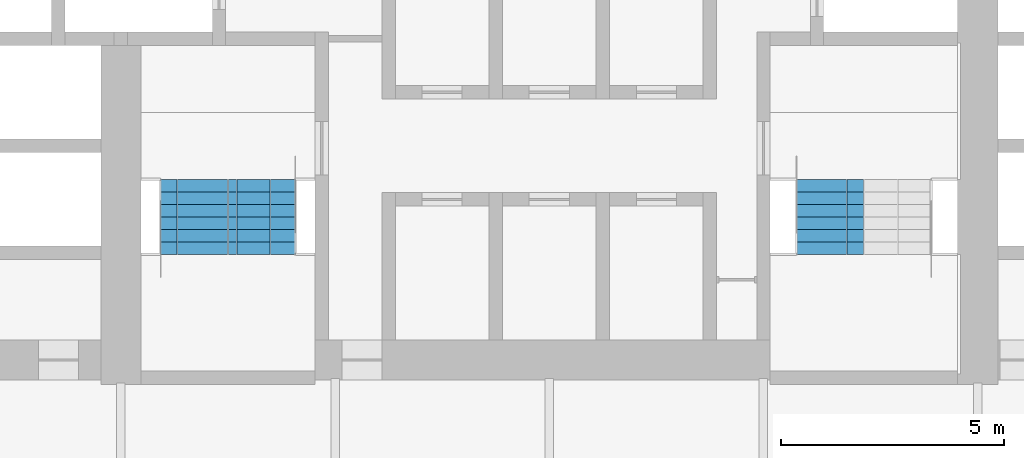
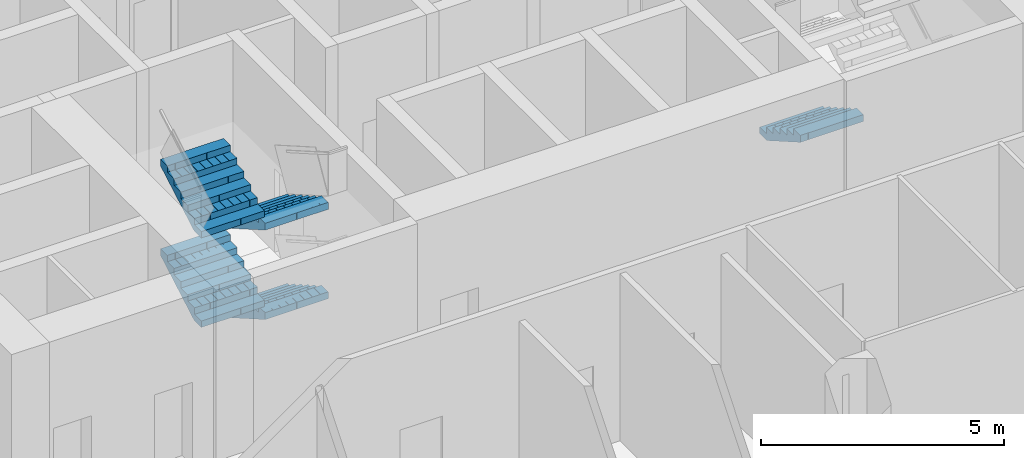
# One storey, part 20 of 26: 5 stair flights, 2 elements without a shape of their own.
"""IFC4 building model written with IfcOpenShell, lengths in metres."""

from ifc_helpers import new_model, si_unit, direction, frame, origin, place, context, subcontext, project, spatial, polyline, outline, extrude, material, type_object, element, aggregate, save


model = new_model("IFC4")

# Units and contexts
model_context = context("Model", 3, precision=1e-05, world=origin(), true_north=direction((0.0, 1.0)))
body_context = subcontext(model_context, "Body", "Model", "MODEL_VIEW")
ifc_project = project(units=[si_unit("LENGTHUNIT", "METRE"), si_unit("AREAUNIT", "SQUARE_METRE"), si_unit("VOLUMEUNIT", "CUBIC_METRE"), si_unit("PLANEANGLEUNIT", "RADIAN"), si_unit("MASSUNIT", "GRAM", prefix="KILO")], contexts=[model_context])

# Site, building, storey
site_placement = place(None, origin())
site = spatial("IfcSite", under=ifc_project, at=site_placement, CompositionType="ELEMENT")
building_placement = place(site_placement, origin())
building = spatial("IfcBuilding", under=site, at=building_placement, Name="Kolab Exchange Tower", CompositionType="ELEMENT")
storey_placement = place(building_placement, frame((0.0, 0.0, 104.89990234375)))
storey = spatial("IfcBuildingStorey", under=building, at=storey_placement, Name="L20", CompositionType="ELEMENT", Elevation=104.89990234375)

# Stair, stair flights
ifc_material = material(Name="Concrete C50/60", Category="concrete")
stair_type_1 = type_object("IfcStairType", Name="STAIR ST3 RISER 160.7", PredefinedType="DOUBLE_RETURN_STAIR", material=ifc_material)
stair_1_placement = place(storey_placement, origin())
stair_1 = element("IfcStair", 1, at=stair_1_placement, inside=storey, type_object=stair_type_1, Name="Stair 3", PredefinedType="DOUBLE_RETURN_STAIR")
stair_flight_type = type_object("IfcStairFlightType", Name="STAIR FLIGHT 1500 RISER 160.7", PredefinedType="STRAIGHT", material=ifc_material)
stair_flight_1_placement = place(storey_placement, frame((-6.43994140625, -5.550048828125, 0.0), z_axis=(0.0, 0.0, 1.0), x_axis=(0.0, -1.0, 0.0)))
stair_flight_1 = element("IfcStairFlight", 2, at=stair_flight_1_placement, type_object=stair_flight_type, Name="ST3 flight 1", NumberOfRisers=7, NumberOfTreads=6, PredefinedType="STRAIGHT", RiserHeight=0.160714286, TreadLength=0.28, context=body_context, shape_type="SweptSolid", body=[
    extrude(outline(polyline([(0.0, 0.0), (0.0, 0.16064453125), (0.280029296875, 0.16064453125), (0.280029296875, 0.321533203125), (0.56005859375, 0.321533203125), (0.56005859375, 0.482177734375), (0.840087890625, 0.482177734375), (0.840087890625, 0.642822265625), (1.1201171875, 0.642822265625), (1.1201171875, 0.803466796875), (1.39990234375, 0.803466796875), (1.39990234375, 0.96435546875), (1.679931640625, 0.96435546875), (1.679931640625, 1.125), (1.679931640625, 0.79150390625), (0.301025390625, 0.0), (0.0, 0.0)])), frame((0.0, 0.75, 0.0), z_axis=(0.0, -1.0, 0.0), x_axis=(1.0, 0.0, 0.0)), (0.0, 0.0, 1.0), 0.185791015625),
    extrude(outline(polyline([(0.0, 0.0), (0.0, 0.16064453125), (0.280029296875, 0.16064453125), (0.280029296875, 0.321533203125), (0.56005859375, 0.321533203125), (0.56005859375, 0.482177734375), (0.840087890625, 0.482177734375), (0.840087890625, 0.642822265625), (1.1201171875, 0.642822265625), (1.1201171875, 0.803466796875), (1.39990234375, 0.803466796875), (1.39990234375, 0.96435546875), (1.679931640625, 0.96435546875), (1.679931640625, 1.125), (1.679931640625, 0.79150390625), (0.301025390625, 0.0), (0.0, 0.0)])), frame((0.0, 0.562255859375, 0.0), z_axis=(0.0, -1.0, 0.0), x_axis=(1.0, 0.0, 0.0)), (0.0, 0.0, 1.0), 0.185791015625),
    extrude(outline(polyline([(0.0, 0.0), (0.0, 0.16064453125), (0.280029296875, 0.16064453125), (0.280029296875, 0.321533203125), (0.56005859375, 0.321533203125), (0.56005859375, 0.482177734375), (0.840087890625, 0.482177734375), (0.840087890625, 0.642822265625), (1.1201171875, 0.642822265625), (1.1201171875, 0.803466796875), (1.39990234375, 0.803466796875), (1.39990234375, 0.96435546875), (1.679931640625, 0.96435546875), (1.679931640625, 1.125), (1.679931640625, 0.79150390625), (0.301025390625, 0.0), (0.0, 0.0)])), frame((0.0, 0.37451171875, 0.0), z_axis=(0.0, -1.0, 0.0), x_axis=(1.0, 0.0, 0.0)), (0.0, 0.0, 1.0), 0.185791015625),
    extrude(outline(polyline([(0.0, 0.0), (0.0, 0.16064453125), (0.280029296875, 0.16064453125), (0.280029296875, 0.321533203125), (0.56005859375, 0.321533203125), (0.56005859375, 0.482177734375), (0.840087890625, 0.482177734375), (0.840087890625, 0.642822265625), (1.1201171875, 0.642822265625), (1.1201171875, 0.803466796875), (1.39990234375, 0.803466796875), (1.39990234375, 0.96435546875), (1.679931640625, 0.96435546875), (1.679931640625, 1.125), (1.679931640625, 0.79150390625), (0.301025390625, 0.0), (0.0, 0.0)])), frame((0.0, 0.186767578125, 0.0), z_axis=(0.0, -1.0, 0.0), x_axis=(1.0, 0.0, 0.0)), (0.0, 0.0, 1.0), 0.185791015625),
    extrude(outline(polyline([(0.0, 0.0), (0.0, 0.16064453125), (0.280029296875, 0.16064453125), (0.280029296875, 0.321533203125), (0.56005859375, 0.321533203125), (0.56005859375, 0.482177734375), (0.840087890625, 0.482177734375), (0.840087890625, 0.642822265625), (1.1201171875, 0.642822265625), (1.1201171875, 0.803466796875), (1.39990234375, 0.803466796875), (1.39990234375, 0.96435546875), (1.679931640625, 0.96435546875), (1.679931640625, 1.125), (1.679931640625, 0.79150390625), (0.301025390625, 0.0), (0.0, 0.0)])), frame((0.0, -0.0009765625, 0.0), z_axis=(0.0, -1.0, 0.0), x_axis=(1.0, 0.0, 0.0)), (0.0, 0.0, 1.0), 0.185791015625),
    extrude(outline(polyline([(0.0, 0.0), (0.0, 0.16064453125), (0.280029296875, 0.16064453125), (0.280029296875, 0.321533203125), (0.56005859375, 0.321533203125), (0.56005859375, 0.482177734375), (0.840087890625, 0.482177734375), (0.840087890625, 0.642822265625), (1.1201171875, 0.642822265625), (1.1201171875, 0.803466796875), (1.39990234375, 0.803466796875), (1.39990234375, 0.96435546875), (1.679931640625, 0.96435546875), (1.679931640625, 1.125), (1.679931640625, 0.79150390625), (0.301025390625, 0.0), (0.0, 0.0)])), frame((0.0, -0.188720703125, 0.0), z_axis=(0.0, -1.0, 0.0), x_axis=(1.0, 0.0, 0.0)), (0.0, 0.0, 1.0), 0.185791015625),
    extrude(outline(polyline([(0.0, 0.0), (0.0, 0.16064453125), (0.280029296875, 0.16064453125), (0.280029296875, 0.321533203125), (0.56005859375, 0.321533203125), (0.56005859375, 0.482177734375), (0.840087890625, 0.482177734375), (0.840087890625, 0.642822265625), (1.1201171875, 0.642822265625), (1.1201171875, 0.803466796875), (1.39990234375, 0.803466796875), (1.39990234375, 0.96435546875), (1.679931640625, 0.96435546875), (1.679931640625, 1.125), (1.679931640625, 0.79150390625), (0.301025390625, 0.0), (0.0, 0.0)])), frame((0.0, -0.37646484375, 0.0), z_axis=(0.0, -1.0, 0.0), x_axis=(1.0, 0.0, 0.0)), (0.0, 0.0, 1.0), 0.185791015625),
    extrude(outline(polyline([(0.0, 0.0), (0.0, 0.16064453125), (0.280029296875, 0.16064453125), (0.280029296875, 0.321533203125), (0.56005859375, 0.321533203125), (0.56005859375, 0.482177734375), (0.840087890625, 0.482177734375), (0.840087890625, 0.642822265625), (1.1201171875, 0.642822265625), (1.1201171875, 0.803466796875), (1.39990234375, 0.803466796875), (1.39990234375, 0.96435546875), (1.679931640625, 0.96435546875), (1.679931640625, 1.125), (1.679931640625, 0.79150390625), (0.301025390625, 0.0), (0.0, 0.0)])), frame((0.0, -0.564208984375, 0.0), z_axis=(0.0, -1.0, 0.0), x_axis=(1.0, 0.0, 0.0)), (0.0, 0.0, 1.0), 0.185791015625),
])
stair_flight_2_placement = place(storey_placement, frame((-7.9599609375, -7.22998046875, 1.125), z_axis=(0.0, 0.0, 1.0), x_axis=(0.0, 1.0, 0.0)))
stair_flight_2 = element("IfcStairFlight", 3, at=stair_flight_2_placement, type_object=stair_flight_type, Name="ST3 flight 2", NumberOfRisers=7, NumberOfTreads=6, PredefinedType="STRAIGHT", RiserHeight=0.160714286, TreadLength=0.28, context=body_context, shape_type="SweptSolid", body=[
    extrude(outline(polyline([(0.0, 0.0), (0.0, 0.16064453125), (0.280029296875, 0.16064453125), (0.280029296875, 0.321533203125), (0.56005859375, 0.321533203125), (0.56005859375, 0.482177734375), (0.840087890625, 0.482177734375), (0.840087890625, 0.642822265625), (1.1201171875, 0.642822265625), (1.1201171875, 0.803466796875), (1.39990234375, 0.803466796875), (1.39990234375, 0.96435546875), (1.679931640625, 0.96435546875), (1.679931640625, 1.125), (1.679931640625, 0.79150390625), (0.301025390625, 0.0), (0.0, 0.0)])), frame((0.0, 0.75, 0.0), z_axis=(0.0, -1.0, 0.0), x_axis=(1.0, 0.0, 0.0)), (0.0, 0.0, 1.0), 0.185791015625),
    extrude(outline(polyline([(0.0, 0.0), (0.0, 0.16064453125), (0.280029296875, 0.16064453125), (0.280029296875, 0.321533203125), (0.56005859375, 0.321533203125), (0.56005859375, 0.482177734375), (0.840087890625, 0.482177734375), (0.840087890625, 0.642822265625), (1.1201171875, 0.642822265625), (1.1201171875, 0.803466796875), (1.39990234375, 0.803466796875), (1.39990234375, 0.96435546875), (1.679931640625, 0.96435546875), (1.679931640625, 1.125), (1.679931640625, 0.79150390625), (0.301025390625, 0.0), (0.0, 0.0)])), frame((0.0, 0.562255859375, 0.0), z_axis=(0.0, -1.0, 0.0), x_axis=(1.0, 0.0, 0.0)), (0.0, 0.0, 1.0), 0.185791015625),
    extrude(outline(polyline([(0.0, 0.0), (0.0, 0.16064453125), (0.280029296875, 0.16064453125), (0.280029296875, 0.321533203125), (0.56005859375, 0.321533203125), (0.56005859375, 0.482177734375), (0.840087890625, 0.482177734375), (0.840087890625, 0.642822265625), (1.1201171875, 0.642822265625), (1.1201171875, 0.803466796875), (1.39990234375, 0.803466796875), (1.39990234375, 0.96435546875), (1.679931640625, 0.96435546875), (1.679931640625, 1.125), (1.679931640625, 0.79150390625), (0.301025390625, 0.0), (0.0, 0.0)])), frame((0.0, 0.37451171875, 0.0), z_axis=(0.0, -1.0, 0.0), x_axis=(1.0, 0.0, 0.0)), (0.0, 0.0, 1.0), 0.185791015625),
    extrude(outline(polyline([(0.0, 0.0), (0.0, 0.16064453125), (0.280029296875, 0.16064453125), (0.280029296875, 0.321533203125), (0.56005859375, 0.321533203125), (0.56005859375, 0.482177734375), (0.840087890625, 0.482177734375), (0.840087890625, 0.642822265625), (1.1201171875, 0.642822265625), (1.1201171875, 0.803466796875), (1.39990234375, 0.803466796875), (1.39990234375, 0.96435546875), (1.679931640625, 0.96435546875), (1.679931640625, 1.125), (1.679931640625, 0.79150390625), (0.301025390625, 0.0), (0.0, 0.0)])), frame((0.0, 0.186767578125, 0.0), z_axis=(0.0, -1.0, 0.0), x_axis=(1.0, 0.0, 0.0)), (0.0, 0.0, 1.0), 0.185791015625),
    extrude(outline(polyline([(0.0, 0.0), (0.0, 0.16064453125), (0.280029296875, 0.16064453125), (0.280029296875, 0.321533203125), (0.56005859375, 0.321533203125), (0.56005859375, 0.482177734375), (0.840087890625, 0.482177734375), (0.840087890625, 0.642822265625), (1.1201171875, 0.642822265625), (1.1201171875, 0.803466796875), (1.39990234375, 0.803466796875), (1.39990234375, 0.96435546875), (1.679931640625, 0.96435546875), (1.679931640625, 1.125), (1.679931640625, 0.79150390625), (0.301025390625, 0.0), (0.0, 0.0)])), frame((0.0, -0.0009765625, 0.0), z_axis=(0.0, -1.0, 0.0), x_axis=(1.0, 0.0, 0.0)), (0.0, 0.0, 1.0), 0.185791015625),
    extrude(outline(polyline([(0.0, 0.0), (0.0, 0.16064453125), (0.280029296875, 0.16064453125), (0.280029296875, 0.321533203125), (0.56005859375, 0.321533203125), (0.56005859375, 0.482177734375), (0.840087890625, 0.482177734375), (0.840087890625, 0.642822265625), (1.1201171875, 0.642822265625), (1.1201171875, 0.803466796875), (1.39990234375, 0.803466796875), (1.39990234375, 0.96435546875), (1.679931640625, 0.96435546875), (1.679931640625, 1.125), (1.679931640625, 0.79150390625), (0.301025390625, 0.0), (0.0, 0.0)])), frame((0.0, -0.188720703125, 0.0), z_axis=(0.0, -1.0, 0.0), x_axis=(1.0, 0.0, 0.0)), (0.0, 0.0, 1.0), 0.185791015625),
    extrude(outline(polyline([(0.0, 0.0), (0.0, 0.16064453125), (0.280029296875, 0.16064453125), (0.280029296875, 0.321533203125), (0.56005859375, 0.321533203125), (0.56005859375, 0.482177734375), (0.840087890625, 0.482177734375), (0.840087890625, 0.642822265625), (1.1201171875, 0.642822265625), (1.1201171875, 0.803466796875), (1.39990234375, 0.803466796875), (1.39990234375, 0.96435546875), (1.679931640625, 0.96435546875), (1.679931640625, 1.125), (1.679931640625, 0.79150390625), (0.301025390625, 0.0), (0.0, 0.0)])), frame((0.0, -0.37646484375, 0.0), z_axis=(0.0, -1.0, 0.0), x_axis=(1.0, 0.0, 0.0)), (0.0, 0.0, 1.0), 0.185791015625),
    extrude(outline(polyline([(0.0, 0.0), (0.0, 0.16064453125), (0.280029296875, 0.16064453125), (0.280029296875, 0.321533203125), (0.56005859375, 0.321533203125), (0.56005859375, 0.482177734375), (0.840087890625, 0.482177734375), (0.840087890625, 0.642822265625), (1.1201171875, 0.642822265625), (1.1201171875, 0.803466796875), (1.39990234375, 0.803466796875), (1.39990234375, 0.96435546875), (1.679931640625, 0.96435546875), (1.679931640625, 1.125), (1.679931640625, 0.79150390625), (0.301025390625, 0.0), (0.0, 0.0)])), frame((0.0, -0.564208984375, 0.0), z_axis=(0.0, -1.0, 0.0), x_axis=(1.0, 0.0, 0.0)), (0.0, 0.0, 1.0), 0.185791015625),
])
stair_flight_3_placement = place(storey_placement, frame((-6.43994140625, -5.550048828125, 2.25), z_axis=(0.0, 0.0, 1.0), x_axis=(0.0, -1.0, 0.0)))
stair_flight_3 = element("IfcStairFlight", 4, at=stair_flight_3_placement, type_object=stair_flight_type, Name="ST3 flight 3", NumberOfRisers=7, NumberOfTreads=6, PredefinedType="STRAIGHT", RiserHeight=0.160714286, TreadLength=0.28, context=body_context, shape_type="SweptSolid", body=[
    extrude(outline(polyline([(0.0, 0.0), (0.0, 0.16064453125), (0.280029296875, 0.16064453125), (0.280029296875, 0.321533203125), (0.56005859375, 0.321533203125), (0.56005859375, 0.482177734375), (0.840087890625, 0.482177734375), (0.840087890625, 0.642822265625), (1.1201171875, 0.642822265625), (1.1201171875, 0.803466796875), (1.39990234375, 0.803466796875), (1.39990234375, 0.96435546875), (1.679931640625, 0.96435546875), (1.679931640625, 1.125), (1.679931640625, 0.79150390625), (0.301025390625, 0.0), (0.0, 0.0)])), frame((0.0, 0.75, 0.0), z_axis=(0.0, -1.0, 0.0), x_axis=(1.0, 0.0, 0.0)), (0.0, 0.0, 1.0), 0.185791015625),
    extrude(outline(polyline([(0.0, 0.0), (0.0, 0.16064453125), (0.280029296875, 0.16064453125), (0.280029296875, 0.321533203125), (0.56005859375, 0.321533203125), (0.56005859375, 0.482177734375), (0.840087890625, 0.482177734375), (0.840087890625, 0.642822265625), (1.1201171875, 0.642822265625), (1.1201171875, 0.803466796875), (1.39990234375, 0.803466796875), (1.39990234375, 0.96435546875), (1.679931640625, 0.96435546875), (1.679931640625, 1.125), (1.679931640625, 0.79150390625), (0.301025390625, 0.0), (0.0, 0.0)])), frame((0.0, 0.562255859375, 0.0), z_axis=(0.0, -1.0, 0.0), x_axis=(1.0, 0.0, 0.0)), (0.0, 0.0, 1.0), 0.185791015625),
    extrude(outline(polyline([(0.0, 0.0), (0.0, 0.16064453125), (0.280029296875, 0.16064453125), (0.280029296875, 0.321533203125), (0.56005859375, 0.321533203125), (0.56005859375, 0.482177734375), (0.840087890625, 0.482177734375), (0.840087890625, 0.642822265625), (1.1201171875, 0.642822265625), (1.1201171875, 0.803466796875), (1.39990234375, 0.803466796875), (1.39990234375, 0.96435546875), (1.679931640625, 0.96435546875), (1.679931640625, 1.125), (1.679931640625, 0.79150390625), (0.301025390625, 0.0), (0.0, 0.0)])), frame((0.0, 0.37451171875, 0.0), z_axis=(0.0, -1.0, 0.0), x_axis=(1.0, 0.0, 0.0)), (0.0, 0.0, 1.0), 0.185791015625),
    extrude(outline(polyline([(0.0, 0.0), (0.0, 0.16064453125), (0.280029296875, 0.16064453125), (0.280029296875, 0.321533203125), (0.56005859375, 0.321533203125), (0.56005859375, 0.482177734375), (0.840087890625, 0.482177734375), (0.840087890625, 0.642822265625), (1.1201171875, 0.642822265625), (1.1201171875, 0.803466796875), (1.39990234375, 0.803466796875), (1.39990234375, 0.96435546875), (1.679931640625, 0.96435546875), (1.679931640625, 1.125), (1.679931640625, 0.79150390625), (0.301025390625, 0.0), (0.0, 0.0)])), frame((0.0, 0.186767578125, 0.0), z_axis=(0.0, -1.0, 0.0), x_axis=(1.0, 0.0, 0.0)), (0.0, 0.0, 1.0), 0.185791015625),
    extrude(outline(polyline([(0.0, 0.0), (0.0, 0.16064453125), (0.280029296875, 0.16064453125), (0.280029296875, 0.321533203125), (0.56005859375, 0.321533203125), (0.56005859375, 0.482177734375), (0.840087890625, 0.482177734375), (0.840087890625, 0.642822265625), (1.1201171875, 0.642822265625), (1.1201171875, 0.803466796875), (1.39990234375, 0.803466796875), (1.39990234375, 0.96435546875), (1.679931640625, 0.96435546875), (1.679931640625, 1.125), (1.679931640625, 0.79150390625), (0.301025390625, 0.0), (0.0, 0.0)])), frame((0.0, -0.0009765625, 0.0), z_axis=(0.0, -1.0, 0.0), x_axis=(1.0, 0.0, 0.0)), (0.0, 0.0, 1.0), 0.185791015625),
    extrude(outline(polyline([(0.0, 0.0), (0.0, 0.16064453125), (0.280029296875, 0.16064453125), (0.280029296875, 0.321533203125), (0.56005859375, 0.321533203125), (0.56005859375, 0.482177734375), (0.840087890625, 0.482177734375), (0.840087890625, 0.642822265625), (1.1201171875, 0.642822265625), (1.1201171875, 0.803466796875), (1.39990234375, 0.803466796875), (1.39990234375, 0.96435546875), (1.679931640625, 0.96435546875), (1.679931640625, 1.125), (1.679931640625, 0.79150390625), (0.301025390625, 0.0), (0.0, 0.0)])), frame((0.0, -0.188720703125, 0.0), z_axis=(0.0, -1.0, 0.0), x_axis=(1.0, 0.0, 0.0)), (0.0, 0.0, 1.0), 0.185791015625),
    extrude(outline(polyline([(0.0, 0.0), (0.0, 0.16064453125), (0.280029296875, 0.16064453125), (0.280029296875, 0.321533203125), (0.56005859375, 0.321533203125), (0.56005859375, 0.482177734375), (0.840087890625, 0.482177734375), (0.840087890625, 0.642822265625), (1.1201171875, 0.642822265625), (1.1201171875, 0.803466796875), (1.39990234375, 0.803466796875), (1.39990234375, 0.96435546875), (1.679931640625, 0.96435546875), (1.679931640625, 1.125), (1.679931640625, 0.79150390625), (0.301025390625, 0.0), (0.0, 0.0)])), frame((0.0, -0.37646484375, 0.0), z_axis=(0.0, -1.0, 0.0), x_axis=(1.0, 0.0, 0.0)), (0.0, 0.0, 1.0), 0.185791015625),
    extrude(outline(polyline([(0.0, 0.0), (0.0, 0.16064453125), (0.280029296875, 0.16064453125), (0.280029296875, 0.321533203125), (0.56005859375, 0.321533203125), (0.56005859375, 0.482177734375), (0.840087890625, 0.482177734375), (0.840087890625, 0.642822265625), (1.1201171875, 0.642822265625), (1.1201171875, 0.803466796875), (1.39990234375, 0.803466796875), (1.39990234375, 0.96435546875), (1.679931640625, 0.96435546875), (1.679931640625, 1.125), (1.679931640625, 0.79150390625), (0.301025390625, 0.0), (0.0, 0.0)])), frame((0.0, -0.564208984375, 0.0), z_axis=(0.0, -1.0, 0.0), x_axis=(1.0, 0.0, 0.0)), (0.0, 0.0, 1.0), 0.185791015625),
])
stair_flight_4_placement = place(storey_placement, frame((-7.9599609375, -7.22998046875, 3.375), z_axis=(0.0, 0.0, 1.0), x_axis=(0.0, 1.0, 0.0)))
stair_flight_4 = element("IfcStairFlight", 5, at=stair_flight_4_placement, type_object=stair_flight_type, Name="ST3 flight 4", NumberOfRisers=7, NumberOfTreads=6, PredefinedType="STRAIGHT", RiserHeight=0.160714286, TreadLength=0.28, context=body_context, shape_type="SweptSolid", body=[
    extrude(outline(polyline([(0.0, 0.0), (0.0, 0.16064453125), (0.280029296875, 0.16064453125), (0.280029296875, 0.321533203125), (0.56005859375, 0.321533203125), (0.56005859375, 0.482177734375), (0.840087890625, 0.482177734375), (0.840087890625, 0.642822265625), (1.1201171875, 0.642822265625), (1.1201171875, 0.803466796875), (1.39990234375, 0.803466796875), (1.39990234375, 0.96435546875), (1.679931640625, 0.96435546875), (1.679931640625, 1.125), (1.679931640625, 0.79150390625), (0.301025390625, 0.0), (0.0, 0.0)])), frame((0.0, 0.75, 0.0), z_axis=(0.0, -1.0, 0.0), x_axis=(1.0, 0.0, 0.0)), (0.0, 0.0, 1.0), 0.185791015625),
    extrude(outline(polyline([(0.0, 0.0), (0.0, 0.16064453125), (0.280029296875, 0.16064453125), (0.280029296875, 0.321533203125), (0.56005859375, 0.321533203125), (0.56005859375, 0.482177734375), (0.840087890625, 0.482177734375), (0.840087890625, 0.642822265625), (1.1201171875, 0.642822265625), (1.1201171875, 0.803466796875), (1.39990234375, 0.803466796875), (1.39990234375, 0.96435546875), (1.679931640625, 0.96435546875), (1.679931640625, 1.125), (1.679931640625, 0.79150390625), (0.301025390625, 0.0), (0.0, 0.0)])), frame((0.0, 0.562255859375, 0.0), z_axis=(0.0, -1.0, 0.0), x_axis=(1.0, 0.0, 0.0)), (0.0, 0.0, 1.0), 0.185791015625),
    extrude(outline(polyline([(0.0, 0.0), (0.0, 0.16064453125), (0.280029296875, 0.16064453125), (0.280029296875, 0.321533203125), (0.56005859375, 0.321533203125), (0.56005859375, 0.482177734375), (0.840087890625, 0.482177734375), (0.840087890625, 0.642822265625), (1.1201171875, 0.642822265625), (1.1201171875, 0.803466796875), (1.39990234375, 0.803466796875), (1.39990234375, 0.96435546875), (1.679931640625, 0.96435546875), (1.679931640625, 1.125), (1.679931640625, 0.79150390625), (0.301025390625, 0.0), (0.0, 0.0)])), frame((0.0, 0.37451171875, 0.0), z_axis=(0.0, -1.0, 0.0), x_axis=(1.0, 0.0, 0.0)), (0.0, 0.0, 1.0), 0.185791015625),
    extrude(outline(polyline([(0.0, 0.0), (0.0, 0.16064453125), (0.280029296875, 0.16064453125), (0.280029296875, 0.321533203125), (0.56005859375, 0.321533203125), (0.56005859375, 0.482177734375), (0.840087890625, 0.482177734375), (0.840087890625, 0.642822265625), (1.1201171875, 0.642822265625), (1.1201171875, 0.803466796875), (1.39990234375, 0.803466796875), (1.39990234375, 0.96435546875), (1.679931640625, 0.96435546875), (1.679931640625, 1.125), (1.679931640625, 0.79150390625), (0.301025390625, 0.0), (0.0, 0.0)])), frame((0.0, 0.186767578125, 0.0), z_axis=(0.0, -1.0, 0.0), x_axis=(1.0, 0.0, 0.0)), (0.0, 0.0, 1.0), 0.185791015625),
    extrude(outline(polyline([(0.0, 0.0), (0.0, 0.16064453125), (0.280029296875, 0.16064453125), (0.280029296875, 0.321533203125), (0.56005859375, 0.321533203125), (0.56005859375, 0.482177734375), (0.840087890625, 0.482177734375), (0.840087890625, 0.642822265625), (1.1201171875, 0.642822265625), (1.1201171875, 0.803466796875), (1.39990234375, 0.803466796875), (1.39990234375, 0.96435546875), (1.679931640625, 0.96435546875), (1.679931640625, 1.125), (1.679931640625, 0.79150390625), (0.301025390625, 0.0), (0.0, 0.0)])), frame((0.0, -0.0009765625, 0.0), z_axis=(0.0, -1.0, 0.0), x_axis=(1.0, 0.0, 0.0)), (0.0, 0.0, 1.0), 0.185791015625),
    extrude(outline(polyline([(0.0, 0.0), (0.0, 0.16064453125), (0.280029296875, 0.16064453125), (0.280029296875, 0.321533203125), (0.56005859375, 0.321533203125), (0.56005859375, 0.482177734375), (0.840087890625, 0.482177734375), (0.840087890625, 0.642822265625), (1.1201171875, 0.642822265625), (1.1201171875, 0.803466796875), (1.39990234375, 0.803466796875), (1.39990234375, 0.96435546875), (1.679931640625, 0.96435546875), (1.679931640625, 1.125), (1.679931640625, 0.79150390625), (0.301025390625, 0.0), (0.0, 0.0)])), frame((0.0, -0.188720703125, 0.0), z_axis=(0.0, -1.0, 0.0), x_axis=(1.0, 0.0, 0.0)), (0.0, 0.0, 1.0), 0.185791015625),
    extrude(outline(polyline([(0.0, 0.0), (0.0, 0.16064453125), (0.280029296875, 0.16064453125), (0.280029296875, 0.321533203125), (0.56005859375, 0.321533203125), (0.56005859375, 0.482177734375), (0.840087890625, 0.482177734375), (0.840087890625, 0.642822265625), (1.1201171875, 0.642822265625), (1.1201171875, 0.803466796875), (1.39990234375, 0.803466796875), (1.39990234375, 0.96435546875), (1.679931640625, 0.96435546875), (1.679931640625, 1.125), (1.679931640625, 0.79150390625), (0.301025390625, 0.0), (0.0, 0.0)])), frame((0.0, -0.37646484375, 0.0), z_axis=(0.0, -1.0, 0.0), x_axis=(1.0, 0.0, 0.0)), (0.0, 0.0, 1.0), 0.185791015625),
    extrude(outline(polyline([(0.0, 0.0), (0.0, 0.16064453125), (0.280029296875, 0.16064453125), (0.280029296875, 0.321533203125), (0.56005859375, 0.321533203125), (0.56005859375, 0.482177734375), (0.840087890625, 0.482177734375), (0.840087890625, 0.642822265625), (1.1201171875, 0.642822265625), (1.1201171875, 0.803466796875), (1.39990234375, 0.803466796875), (1.39990234375, 0.96435546875), (1.679931640625, 0.96435546875), (1.679931640625, 1.125), (1.679931640625, 0.79150390625), (0.301025390625, 0.0), (0.0, 0.0)])), frame((0.0, -0.564208984375, 0.0), z_axis=(0.0, -1.0, 0.0), x_axis=(1.0, 0.0, 0.0)), (0.0, 0.0, 1.0), 0.185791015625),
])
aggregate(stair_1, [stair_flight_1, stair_flight_2, stair_flight_3, stair_flight_4])

# Stair, stair flight
stair_type_2 = type_object("IfcStairType", Name="STAIR ST2 RISER 160.7", PredefinedType="DOUBLE_RETURN_STAIR", material=ifc_material)
stair_2_placement = place(storey_placement, origin())
stair_2 = element("IfcStair", 6, at=stair_2_placement, inside=storey, type_object=stair_type_2, Name="Stair 2", PredefinedType="DOUBLE_RETURN_STAIR")
stair_flight_5_placement = place(storey_placement, frame((6.2900390625, -5.550048828125, 0.0), z_axis=(0.0, 0.0, 1.0), x_axis=(0.0, -1.0, 0.0)))
stair_flight_5 = element("IfcStairFlight", 7, at=stair_flight_5_placement, type_object=stair_flight_type, Name="ST2 flight 1", NumberOfRisers=7, NumberOfTreads=6, PredefinedType="STRAIGHT", RiserHeight=0.160714286, TreadLength=0.28, context=body_context, shape_type="SweptSolid", body=[
    extrude(outline(polyline([(0.0, 0.0), (0.0, 0.16064453125), (0.280029296875, 0.16064453125), (0.280029296875, 0.321533203125), (0.56005859375, 0.321533203125), (0.56005859375, 0.482177734375), (0.840087890625, 0.482177734375), (0.840087890625, 0.642822265625), (1.1201171875, 0.642822265625), (1.1201171875, 0.803466796875), (1.39990234375, 0.803466796875), (1.39990234375, 0.96435546875), (1.679931640625, 0.96435546875), (1.679931640625, 1.125), (1.679931640625, 0.79150390625), (0.301025390625, 0.0), (0.0, 0.0)])), frame((0.0, 0.75, 0.0), z_axis=(0.0, -1.0, 0.0), x_axis=(1.0, 0.0, 0.0)), (0.0, 0.0, 1.0), 0.185791015625),
    extrude(outline(polyline([(0.0, 0.0), (0.0, 0.16064453125), (0.280029296875, 0.16064453125), (0.280029296875, 0.321533203125), (0.56005859375, 0.321533203125), (0.56005859375, 0.482177734375), (0.840087890625, 0.482177734375), (0.840087890625, 0.642822265625), (1.1201171875, 0.642822265625), (1.1201171875, 0.803466796875), (1.39990234375, 0.803466796875), (1.39990234375, 0.96435546875), (1.679931640625, 0.96435546875), (1.679931640625, 1.125), (1.679931640625, 0.79150390625), (0.301025390625, 0.0), (0.0, 0.0)])), frame((0.0, 0.562255859375, 0.0), z_axis=(0.0, -1.0, 0.0), x_axis=(1.0, 0.0, 0.0)), (0.0, 0.0, 1.0), 0.185791015625),
    extrude(outline(polyline([(0.0, 0.0), (0.0, 0.16064453125), (0.280029296875, 0.16064453125), (0.280029296875, 0.321533203125), (0.56005859375, 0.321533203125), (0.56005859375, 0.482177734375), (0.840087890625, 0.482177734375), (0.840087890625, 0.642822265625), (1.1201171875, 0.642822265625), (1.1201171875, 0.803466796875), (1.39990234375, 0.803466796875), (1.39990234375, 0.96435546875), (1.679931640625, 0.96435546875), (1.679931640625, 1.125), (1.679931640625, 0.79150390625), (0.301025390625, 0.0), (0.0, 0.0)])), frame((0.0, 0.37451171875, 0.0), z_axis=(0.0, -1.0, 0.0), x_axis=(1.0, 0.0, 0.0)), (0.0, 0.0, 1.0), 0.185791015625),
    extrude(outline(polyline([(0.0, 0.0), (0.0, 0.16064453125), (0.280029296875, 0.16064453125), (0.280029296875, 0.321533203125), (0.56005859375, 0.321533203125), (0.56005859375, 0.482177734375), (0.840087890625, 0.482177734375), (0.840087890625, 0.642822265625), (1.1201171875, 0.642822265625), (1.1201171875, 0.803466796875), (1.39990234375, 0.803466796875), (1.39990234375, 0.96435546875), (1.679931640625, 0.96435546875), (1.679931640625, 1.125), (1.679931640625, 0.79150390625), (0.301025390625, 0.0), (0.0, 0.0)])), frame((0.0, 0.186767578125, 0.0), z_axis=(0.0, -1.0, 0.0), x_axis=(1.0, 0.0, 0.0)), (0.0, 0.0, 1.0), 0.185791015625),
    extrude(outline(polyline([(0.0, 0.0), (0.0, 0.16064453125), (0.280029296875, 0.16064453125), (0.280029296875, 0.321533203125), (0.56005859375, 0.321533203125), (0.56005859375, 0.482177734375), (0.840087890625, 0.482177734375), (0.840087890625, 0.642822265625), (1.1201171875, 0.642822265625), (1.1201171875, 0.803466796875), (1.39990234375, 0.803466796875), (1.39990234375, 0.96435546875), (1.679931640625, 0.96435546875), (1.679931640625, 1.125), (1.679931640625, 0.79150390625), (0.301025390625, 0.0), (0.0, 0.0)])), frame((0.0, -0.0009765625, 0.0), z_axis=(0.0, -1.0, 0.0), x_axis=(1.0, 0.0, 0.0)), (0.0, 0.0, 1.0), 0.185791015625),
    extrude(outline(polyline([(0.0, 0.0), (0.0, 0.16064453125), (0.280029296875, 0.16064453125), (0.280029296875, 0.321533203125), (0.56005859375, 0.321533203125), (0.56005859375, 0.482177734375), (0.840087890625, 0.482177734375), (0.840087890625, 0.642822265625), (1.1201171875, 0.642822265625), (1.1201171875, 0.803466796875), (1.39990234375, 0.803466796875), (1.39990234375, 0.96435546875), (1.679931640625, 0.96435546875), (1.679931640625, 1.125), (1.679931640625, 0.79150390625), (0.301025390625, 0.0), (0.0, 0.0)])), frame((0.0, -0.188720703125, 0.0), z_axis=(0.0, -1.0, 0.0), x_axis=(1.0, 0.0, 0.0)), (0.0, 0.0, 1.0), 0.185791015625),
    extrude(outline(polyline([(0.0, 0.0), (0.0, 0.16064453125), (0.280029296875, 0.16064453125), (0.280029296875, 0.321533203125), (0.56005859375, 0.321533203125), (0.56005859375, 0.482177734375), (0.840087890625, 0.482177734375), (0.840087890625, 0.642822265625), (1.1201171875, 0.642822265625), (1.1201171875, 0.803466796875), (1.39990234375, 0.803466796875), (1.39990234375, 0.96435546875), (1.679931640625, 0.96435546875), (1.679931640625, 1.125), (1.679931640625, 0.79150390625), (0.301025390625, 0.0), (0.0, 0.0)])), frame((0.0, -0.37646484375, 0.0), z_axis=(0.0, -1.0, 0.0), x_axis=(1.0, 0.0, 0.0)), (0.0, 0.0, 1.0), 0.185791015625),
    extrude(outline(polyline([(0.0, 0.0), (0.0, 0.16064453125), (0.280029296875, 0.16064453125), (0.280029296875, 0.321533203125), (0.56005859375, 0.321533203125), (0.56005859375, 0.482177734375), (0.840087890625, 0.482177734375), (0.840087890625, 0.642822265625), (1.1201171875, 0.642822265625), (1.1201171875, 0.803466796875), (1.39990234375, 0.803466796875), (1.39990234375, 0.96435546875), (1.679931640625, 0.96435546875), (1.679931640625, 1.125), (1.679931640625, 0.79150390625), (0.301025390625, 0.0), (0.0, 0.0)])), frame((0.0, -0.564208984375, 0.0), z_axis=(0.0, -1.0, 0.0), x_axis=(1.0, 0.0, 0.0)), (0.0, 0.0, 1.0), 0.185791015625),
])
aggregate(stair_2, [stair_flight_5])

save(model, "model.ifc")
